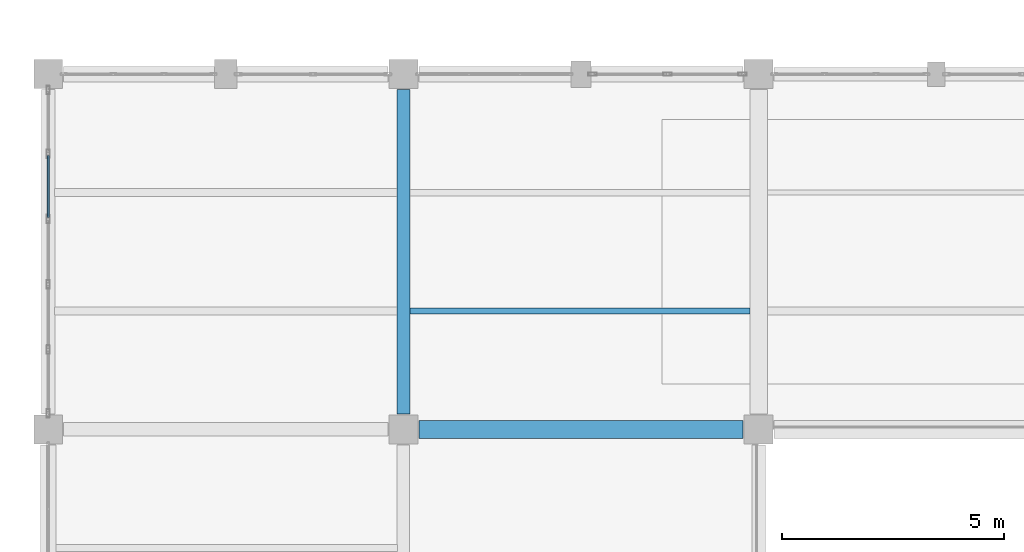
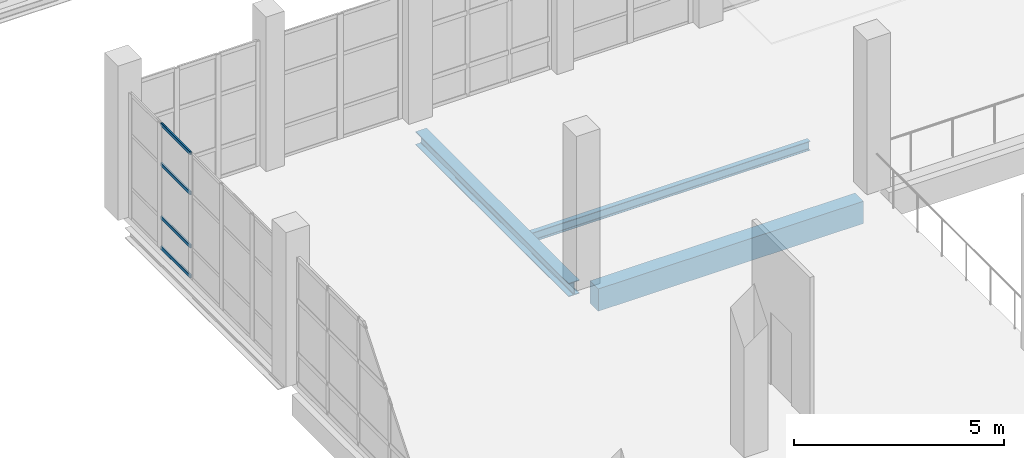
# One storey, part 20 of 183: 4 members, 3 beams, 1 element without a shape of its own.
"""IFC4 building model written with IfcOpenShell, lengths in metres."""

from ifc_helpers import new_model, si_unit, direction, frame, origin, origin_2d, place, context, subcontext, project, spatial, rectangle, hollow_rectangle, i_section, extrude, material, material_profile, profile_set, type_object, element, aggregate, save


model = new_model("IFC4")

# Units and contexts
model_context = context("Model", 3, precision=1e-05, world=origin(), true_north=direction((0.0, 1.0)))
body_context = subcontext(model_context, "Body", "Model", "MODEL_VIEW")
ifc_project = project(units=[si_unit("LENGTHUNIT", "METRE"), si_unit("AREAUNIT", "SQUARE_METRE"), si_unit("VOLUMEUNIT", "CUBIC_METRE"), si_unit("PLANEANGLEUNIT", "RADIAN"), si_unit("MASSUNIT", "GRAM", prefix="KILO")], contexts=[model_context])

# Site, building, storey
site_placement = place(None, origin())
site = spatial("IfcSite", under=ifc_project, at=site_placement, CompositionType="ELEMENT")
building_placement = place(site_placement, origin())
building = spatial("IfcBuilding", under=site, at=building_placement, Name="Luwemba Playhouse", CompositionType="ELEMENT")
storey_placement = place(building_placement, frame((0.0, 0.0, 4.800048828125)))
storey = spatial("IfcBuildingStorey", under=building, at=storey_placement, Name="L01", CompositionType="ELEMENT", Elevation=4.800048828125)

# Beams
ifc_material_1 = material(Name="Concrete C40/50", Category="concrete")
ifc_material_profile_1 = material_profile(ifc_material_1, rectangle(XDim=0.39990234375, YDim=0.64990234375, at=origin_2d()))
ifc_profile_set_1 = profile_set([ifc_material_profile_1], Name="Concrete C40/50")
beam_type_1 = type_object("IfcBeamType", Name="BM-RB02", PredefinedType="BEAM", material=ifc_profile_set_1)
beam_1_placement = place(storey_placement, frame((12.35009765625, 19.0, -0.574951171875), z_axis=(1.0, 0.0, 0.0), x_axis=(0.0, 1.0, 0.0)))
element("IfcBeam", 1, at=beam_1_placement, inside=storey, type_object=beam_type_1, Name="L01 grid girder 0483", PredefinedType="BEAM", context=body_context, shape_type="SweptSolid", body=[
    extrude(rectangle(XDim=0.39990234375, YDim=0.64990234375, at=origin_2d()), origin(), (0.0, 0.0, 1.0), 7.2998046875),
])
ifc_material_2 = material(Name="Steel S355", Category="steel")
ifc_material_profile_2 = material_profile(ifc_material_2, i_section(OverallWidth=0.300048828125, OverallDepth=0.389892578125, WebThickness=0.010986328125, FlangeThickness=0.01904296875, FilletRadius=0.027099609375, at=origin_2d()))
ifc_profile_set_2 = profile_set([ifc_material_profile_2], Name="Steel S355")
beam_type_2 = type_object("IfcBeamType", Name="BM-SB05", PredefinedType="BEAM", material=ifc_profile_set_2)
beam_2_placement = place(storey_placement, frame((12.0, 19.35009765625, -0.445068359375), z_axis=(0.0, 1.0, 0.0), x_axis=(-1.0, 0.0, 0.0)))
element("IfcBeam", 2, at=beam_2_placement, inside=storey, type_object=beam_type_2, Name="L01 transverse girder 0501", PredefinedType="BEAM", context=body_context, shape_type="SweptSolid", body=[
    extrude(i_section(OverallWidth=0.300048828125, OverallDepth=0.389892578125, WebThickness=0.010986328125, FlangeThickness=0.01904296875, FilletRadius=0.027099609375, at=origin_2d()), origin(), (0.0, 0.0, 1.0), 7.2998046875),
])
ifc_material_profile_3 = material_profile(ifc_material_2, i_section(OverallWidth=0.135009765625, OverallDepth=0.27001953125, WebThickness=0.006591796875, FlangeThickness=0.01025390625, FilletRadius=0.014892578125, at=origin_2d()))
ifc_profile_set_3 = profile_set([ifc_material_profile_3], Name="Steel S355")
beam_type_3 = type_object("IfcBeamType", Name="BM-SJ04", PredefinedType="JOIST", material=ifc_profile_set_3)
beam_3_placement = place(storey_placement, frame((12.14599609375, 21.666748046875, -0.385009765625), z_axis=(1.0, 0.0, 0.0), x_axis=(0.0, 1.0, 0.0)))
element("IfcBeam", 3, at=beam_3_placement, inside=storey, type_object=beam_type_3, Name="L01 composite floor joist 0281", PredefinedType="JOIST", context=body_context, shape_type="SweptSolid", body=[
    extrude(i_section(OverallWidth=0.135009765625, OverallDepth=0.27001953125, WebThickness=0.006591796875, FlangeThickness=0.01025390625, FilletRadius=0.014892578125, at=origin_2d()), origin(), (0.0, 0.0, 1.0), 7.657958984375),
])

# Curtain wall, members
ifc_material_3 = material(Name="Solar-control double glazing", Category="glass")
curtain_wall_type = type_object("IfcCurtainWallType", Name="CW-CW91", PredefinedType="USERDEFINED", material=ifc_material_3)
curtain_wall_placement = place(storey_placement, origin())
curtain_wall = element("IfcCurtainWall", 4, at=curtain_wall_placement, inside=storey, type_object=curtain_wall_type, Name="L01 V5W unitised curtain wall 121", ObjectType="UNITISED GLAZING", PredefinedType="USERDEFINED")
ifc_material_4 = material(Name="Aluminium 6063-T6", Category="aluminium")
ifc_material_profile_4 = material_profile(ifc_material_4, hollow_rectangle(XDim=0.050048828125, YDim=0.10009765625, WallThickness=0.00341796875, InnerFilletRadius=0.00537109375, OuterFilletRadius=0.0087890625, at=origin_2d()))
ifc_profile_set_4 = profile_set([ifc_material_profile_4], Name="Aluminium 6063-T6")
member_type = type_object("IfcMemberType", Name="CWT-T4", PredefinedType="USERDEFINED", material=ifc_profile_set_4)
member_1_placement = place(storey_placement, frame((4.0, 23.77001953125, 0.02490234375), z_axis=(0.0, 1.0, 0.0), x_axis=(-1.0, 0.0, 0.0)))
member_1 = element("IfcMember", 5, at=member_1_placement, type_object=member_type, Name="CW91 transom 4.1", ObjectType="TRANSOM", PredefinedType="USERDEFINED", context=body_context, shape_type="SweptSolid", body=[
    extrude(hollow_rectangle(XDim=0.050048828125, YDim=0.10009765625, WallThickness=0.00341796875, InnerFilletRadius=0.00537109375, OuterFilletRadius=0.0087890625, at=origin_2d()), origin(), (0.0, 0.0, 1.0), 1.39990234375),
])
member_2_placement = place(storey_placement, frame((4.0, 23.77001953125, 0.89990234375), z_axis=(0.0, 1.0, 0.0), x_axis=(-1.0, 0.0, 0.0)))
member_2 = element("IfcMember", 6, at=member_2_placement, type_object=member_type, Name="CW91 transom 4.2", ObjectType="TRANSOM", PredefinedType="USERDEFINED", context=body_context, shape_type="SweptSolid", body=[
    extrude(hollow_rectangle(XDim=0.050048828125, YDim=0.10009765625, WallThickness=0.00341796875, InnerFilletRadius=0.00537109375, OuterFilletRadius=0.0087890625, at=origin_2d()), origin(), (0.0, 0.0, 1.0), 1.39990234375),
])
member_3_placement = place(storey_placement, frame((4.0, 23.77001953125, 2.449951171875), z_axis=(0.0, 1.0, 0.0), x_axis=(-1.0, 0.0, 0.0)))
member_3 = element("IfcMember", 7, at=member_3_placement, type_object=member_type, Name="CW91 transom 4.3", ObjectType="TRANSOM", PredefinedType="USERDEFINED", context=body_context, shape_type="SweptSolid", body=[
    extrude(hollow_rectangle(XDim=0.050048828125, YDim=0.10009765625, WallThickness=0.00341796875, InnerFilletRadius=0.00537109375, OuterFilletRadius=0.0087890625, at=origin_2d()), origin(), (0.0, 0.0, 1.0), 1.39990234375),
])
member_4_placement = place(storey_placement, frame((4.0, 23.77001953125, 3.60986328125), z_axis=(0.0, 1.0, 0.0), x_axis=(-1.0, 0.0, 0.0)))
member_4 = element("IfcMember", 8, at=member_4_placement, type_object=member_type, Name="CW91 transom 4.4", ObjectType="TRANSOM", PredefinedType="USERDEFINED", context=body_context, shape_type="SweptSolid", body=[
    extrude(hollow_rectangle(XDim=0.050048828125, YDim=0.10009765625, WallThickness=0.00341796875, InnerFilletRadius=0.00537109375, OuterFilletRadius=0.0087890625, at=origin_2d()), origin(), (0.0, 0.0, 1.0), 1.39990234375),
])
aggregate(curtain_wall, [member_1, member_2, member_3, member_4])

save(model, "model.ifc")
